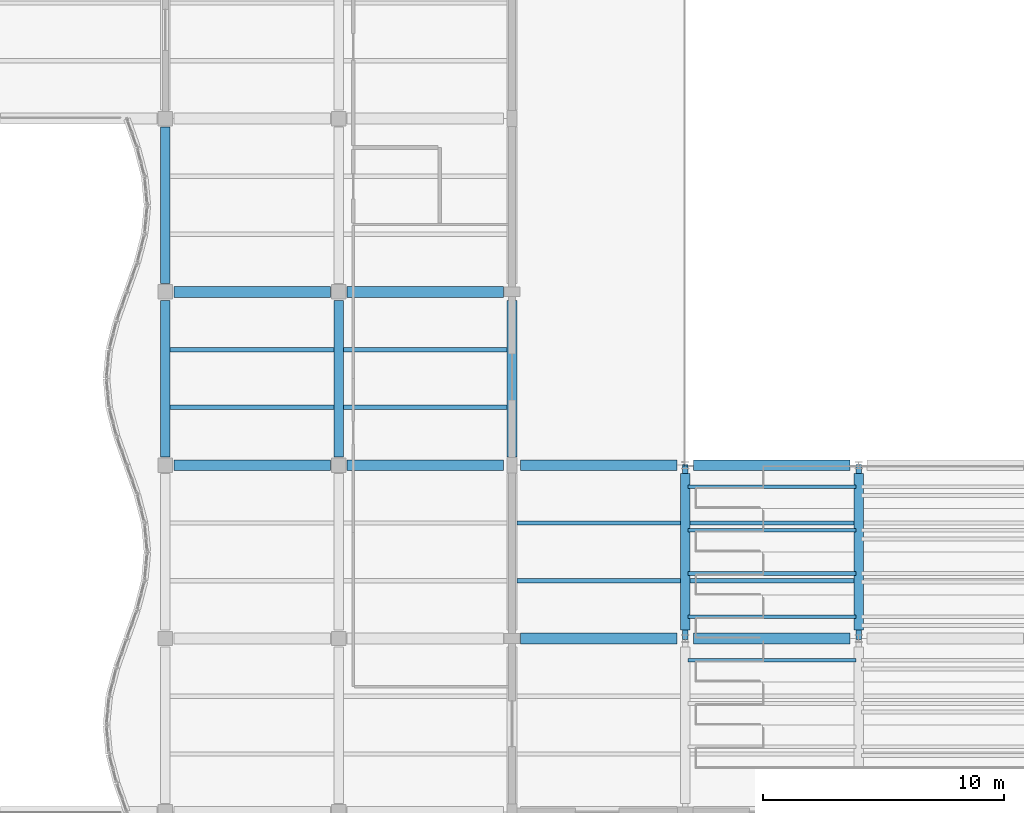
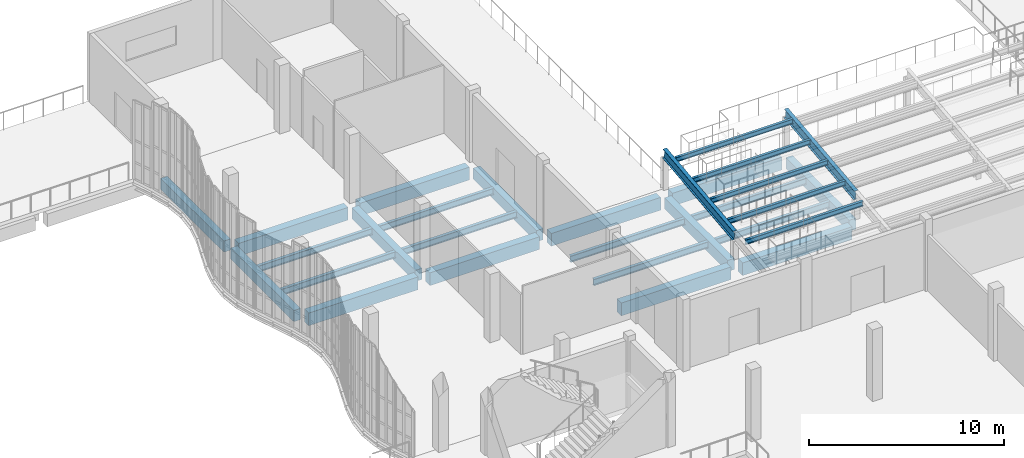
# One storey, part 38 of 105: 29 beams.
"""IFC4 building model written with IfcOpenShell, lengths in metres."""

from ifc_helpers import new_model, si_unit, direction, frame, origin, origin_2d, place, context, subcontext, project, spatial, rectangle, i_section, extrude, material, material_profile, profile_set, type_object, element, save


model = new_model("IFC4")

# Units and contexts
model_context = context("Model", 3, precision=1e-05, world=origin(), true_north=direction((0.0, 1.0)))
body_context = subcontext(model_context, "Body", "Model", "MODEL_VIEW")
ifc_project = project(units=[si_unit("LENGTHUNIT", "METRE"), si_unit("AREAUNIT", "SQUARE_METRE"), si_unit("VOLUMEUNIT", "CUBIC_METRE"), si_unit("PLANEANGLEUNIT", "RADIAN"), si_unit("MASSUNIT", "GRAM", prefix="KILO"), si_unit("THERMODYNAMICTEMPERATUREUNIT", "KELVIN"), si_unit("POWERUNIT", "WATT")], contexts=[model_context])

# Site, building, storey
site_placement = place(None, origin())
site = spatial("IfcSite", under=ifc_project, at=site_placement, CompositionType="ELEMENT")
building_placement = place(site_placement, origin())
building = spatial("IfcBuilding", under=site, at=building_placement, Name="Kaldorven Railside Theatre", CompositionType="ELEMENT")
storey_placement = place(building_placement, frame((0.0, 0.0, 9.89990234375)))
storey = spatial("IfcBuildingStorey", under=building, at=storey_placement, Name="L02", CompositionType="ELEMENT", Elevation=9.89990234375)

# Beams
ifc_material_1 = material(Name="Steel S355", Category="steel")
ifc_material_profile_1 = material_profile(ifc_material_1, i_section(OverallWidth=0.14990234375, OverallDepth=0.300048828125, WebThickness=0.007080078125, FlangeThickness=0.0107421875, at=origin_2d()), Name="IPE 300")
ifc_profile_set_1 = profile_set([ifc_material_profile_1], Name="Steel S355")
beam_type_1 = type_object("IfcBeamType", Name="BM-IPE300", PredefinedType="JOIST", material=ifc_profile_set_1)
for number, where, z_axis, x_axis, name in (
    (1, (94.510009765625, 47.10009765625, 1.52001953125), (1.0, 0.0, 0.0), (0.0, 1.0, 0.0), "Seating Tier Transverse Bearer TBR-V1U-041"),
    (2, (94.510009765625, 48.89990234375, 1.72021484375), (1.0, 0.0, 0.0), (0.0, 1.0, 0.0), "Seating Tier Transverse Bearer TBR-V1U-051"),
    (3, (94.510009765625, 50.699951171875, 1.920166015625), (1.0, 0.0, 0.0), (0.0, 1.0, 0.0), "Seating Tier Transverse Bearer TBR-V1U-061"),
    (4, (94.510009765625, 52.5, 2.1201171875), (1.0, 0.0, 0.0), (0.0, 1.0, 0.0), "Seating Tier Transverse Bearer TBR-V1U-071"),
    (5, (94.510009765625, 54.300048828125, 2.320068359375), (1.0, 0.0, 0.0), (0.0, 1.0, 0.0), "Seating Tier Transverse Bearer TBR-V1U-081"),
):
    element("IfcBeam", number, at=place(storey_placement, frame(where, z_axis=z_axis, x_axis=x_axis)), inside=storey, type_object=beam_type_1, Name=name, PredefinedType="JOIST", context=body_context, shape_type="SweptSolid", body=[
        extrude(i_section(OverallWidth=0.14990234375, OverallDepth=0.300048828125, WebThickness=0.007080078125, FlangeThickness=0.0107421875, at=origin_2d()), origin(), (0.0, 0.0, 1.0), 6.97998046875),
    ])
ifc_material_profile_2 = material_profile(ifc_material_1, i_section(OverallWidth=0.179931640625, OverallDepth=0.39990234375, WebThickness=0.008544921875, FlangeThickness=0.013427734375, at=origin_2d()), Name="IPE 400")
ifc_profile_set_2 = profile_set([ifc_material_profile_2], Name="Steel S355")
beam_type_2 = type_object("IfcBeamType", Name="BM-IPE400", PredefinedType="JOIST", material=ifc_profile_set_2)
for number, where, z_axis, x_axis, name in (
    (6, (87.39990234375, 50.39990234375, -0.5), (1.0, 0.0, 0.0), (0.0, 1.0, 0.0), "L02 Secondary Floor Joist JG-L02-087-0504"),
    (7, (87.39990234375, 52.800048828125, -0.5), (1.0, 0.0, 0.0), (0.0, 1.0, 0.0), "L02 Secondary Floor Joist JG-L02-087-0528"),
):
    element("IfcBeam", number, at=place(storey_placement, frame(where, z_axis=z_axis, x_axis=x_axis)), inside=storey, type_object=beam_type_2, Name=name, PredefinedType="JOIST", context=body_context, shape_type="SweptSolid", body=[
        extrude(i_section(OverallWidth=0.179931640625, OverallDepth=0.39990234375, WebThickness=0.008544921875, FlangeThickness=0.013427734375, at=origin_2d()), origin(), (0.0, 0.0, 1.0), 6.800048828125),
    ])
for number, where, z_axis, x_axis, name in (
    (8, (94.60009765625, 50.39990234375, -0.5), (1.0, 0.0, 0.0), (0.0, 1.0, 0.0), "L02 Secondary Floor Joist JG-L02-094-0504"),
    (9, (94.60009765625, 52.800048828125, -0.5), (1.0, 0.0, 0.0), (0.0, 1.0, 0.0), "L02 Secondary Floor Joist JG-L02-094-0528"),
):
    element("IfcBeam", number, at=place(storey_placement, frame(where, z_axis=z_axis, x_axis=x_axis)), inside=storey, type_object=beam_type_2, Name=name, PredefinedType="JOIST", context=body_context, shape_type="SweptSolid", body=[
        extrude(i_section(OverallWidth=0.179931640625, OverallDepth=0.39990234375, WebThickness=0.008544921875, FlangeThickness=0.013427734375, at=origin_2d()), origin(), (0.0, 0.0, 1.0), 6.7998046875),
    ])
for number, where, z_axis, x_axis, name in (
    (10, (73.0, 57.60009765625, -0.449951171875), (1.0, 0.0, 0.0), (0.0, 1.0, 0.0), "L02 Secondary Floor Joist JG-L02-072-0576"),
    (11, (73.0, 60.0, -0.449951171875), (1.0, 0.0, 0.0), (0.0, 1.0, 0.0), "L02 Secondary Floor Joist JG-L02-072-0600"),
    (12, (80.199951171875, 57.60009765625, -0.449951171875), (1.0, 0.0, 0.0), (0.0, 1.0, 0.0), "L02 Secondary Floor Joist JG-L02-080-0576"),
    (13, (80.199951171875, 60.0, -0.449951171875), (1.0, 0.0, 0.0), (0.0, 1.0, 0.0), "L02 Secondary Floor Joist JG-L02-080-0600"),
):
    element("IfcBeam", number, at=place(storey_placement, frame(where, z_axis=z_axis, x_axis=x_axis)), inside=storey, type_object=beam_type_2, Name=name, PredefinedType="JOIST", context=body_context, shape_type="SweptSolid", body=[
        extrude(i_section(OverallWidth=0.179931640625, OverallDepth=0.39990234375, WebThickness=0.008544921875, FlangeThickness=0.013427734375, at=origin_2d()), origin(), (0.0, 0.0, 1.0), 6.800048828125),
    ])
ifc_material_profile_3 = material_profile(ifc_material_1, i_section(OverallWidth=0.219970703125, OverallDepth=0.60009765625, WebThickness=0.011962890625, FlangeThickness=0.01904296875, at=origin_2d()), Name="IPE 600")
ifc_profile_set_3 = profile_set([ifc_material_profile_3], Name="Steel S355")
beam_type_3 = type_object("IfcBeamType", Name="BM-IPE600", PredefinedType="USERDEFINED", material=ifc_profile_set_3)
for number, where, z_axis, x_axis, name in (
    (14, (94.39990234375, 48.0, 1.43017578125), (0.0, 0.993886611281, 0.110405633534), (-1.0, 0.0, 0.0), "Auditorium Raker Girder RKG-V1U-12"),
    (15, (101.60009765625, 48.0, 1.43017578125), (0.0, 0.993886611281, 0.110405633534), (-1.0, 0.0, 0.0), "Auditorium Raker Girder RKG-V1U-22"),
):
    element("IfcBeam", number, at=place(storey_placement, frame(where, z_axis=z_axis, x_axis=x_axis)), inside=storey, type_object=beam_type_3, Name=name, ObjectType="RAKER BEAM", PredefinedType="USERDEFINED", context=body_context, shape_type="SweptSolid", body=[
        extrude(i_section(OverallWidth=0.219970703125, OverallDepth=0.60009765625, WebThickness=0.011962890625, FlangeThickness=0.01904296875, at=origin_2d()), origin(), (0.0, 0.0, 1.0), 7.244140625),
    ])
ifc_material_2 = material(Name="Concrete C40/50", Category="concrete")
ifc_material_profile_4 = material_profile(ifc_material_2, rectangle(XDim=0.39990234375, YDim=0.699951171875, at=origin_2d()), Name="RC 400x700")
ifc_profile_set_4 = profile_set([ifc_material_profile_4], Name="Concrete C40/50")
beam_type_4 = type_object("IfcBeamType", Name="BM-RC400x700", PredefinedType="BEAM", material=ifc_profile_set_4)
for number, where, z_axis, x_axis, name in (
    (16, (94.39990234375, 48.35009765625, -0.64990234375), (0.0, 1.0, 0.0), (-1.0, 0.0, 0.0), "L02 Girder BGY-L02-094-048-72"),
    (17, (101.60009765625, 48.35009765625, -0.64990234375), (0.0, 1.0, 0.0), (-1.0, 0.0, 0.0), "L02 Girder BGY-L02-101-048-72"),
    (18, (72.800048828125, 55.550048828125, -0.599853515625), (0.0, 1.0, 0.0), (-1.0, 0.0, 0.0), "L02 Girder BGY-L02-072-055-72"),
    (19, (80.0, 55.550048828125, -0.599853515625), (0.0, 1.0, 0.0), (-1.0, 0.0, 0.0), "L02 Girder BGY-L02-080-055-72"),
    (20, (87.199951171875, 55.550048828125, -0.6298828125), (0.0, 1.0, 0.0), (-1.0, 0.0, 0.0), "L02 Girder BGY-L02-087-055-72"),
    (21, (72.800048828125, 62.75, -0.599853515625), (0.0, 1.0, 0.0), (-1.0, 0.0, 0.0), "L02 Girder BGY-L02-072-062-72"),
):
    element("IfcBeam", number, at=place(storey_placement, frame(where, z_axis=z_axis, x_axis=x_axis)), inside=storey, type_object=beam_type_4, Name=name, PredefinedType="BEAM", context=body_context, shape_type="SweptSolid", body=[
        extrude(rectangle(XDim=0.39990234375, YDim=0.699951171875, at=origin_2d()), origin(), (0.0, 0.0, 1.0), 6.5),
    ])
ifc_material_profile_5 = material_profile(ifc_material_2, rectangle(XDim=0.449951171875, YDim=0.800048828125, at=origin_2d()), Name="RC 450x800")
ifc_profile_set_5 = profile_set([ifc_material_profile_5], Name="Concrete C40/50")
beam_type_5 = type_object("IfcBeamType", Name="BM-RC450x800", PredefinedType="BEAM", material=ifc_profile_set_5)
for number, where, z_axis, x_axis, name in (
    (22, (87.550048828125, 48.0, -0.699951171875), (1.0, 0.0, 0.0), (0.0, 1.0, 0.0), "L02 Girder BGX-L02-087-048"),
    (23, (94.75, 48.0, -0.699951171875), (1.0, 0.0, 0.0), (0.0, 1.0, 0.0), "L02 Girder BGX-L02-094-048"),
    (24, (73.14990234375, 55.199951171875, -0.64990234375), (1.0, 0.0, 0.0), (0.0, 1.0, 0.0), "L02 Girder BGX-L02-072-055"),
    (25, (80.35009765625, 55.199951171875, -0.64990234375), (1.0, 0.0, 0.0), (0.0, 1.0, 0.0), "L02 Girder BGX-L02-080-055"),
    (26, (87.550048828125, 55.199951171875, -0.699951171875), (1.0, 0.0, 0.0), (0.0, 1.0, 0.0), "L02 Girder BGX-L02-087-055"),
    (27, (94.75, 55.199951171875, -0.699951171875), (1.0, 0.0, 0.0), (0.0, 1.0, 0.0), "L02 Girder BGX-L02-094-055"),
    (28, (73.14990234375, 62.39990234375, -0.64990234375), (1.0, 0.0, 0.0), (0.0, 1.0, 0.0), "L02 Girder BGX-L02-072-062"),
    (29, (80.35009765625, 62.39990234375, -0.64990234375), (1.0, 0.0, 0.0), (0.0, 1.0, 0.0), "L02 Girder BGX-L02-080-062"),
):
    element("IfcBeam", number, at=place(storey_placement, frame(where, z_axis=z_axis, x_axis=x_axis)), inside=storey, type_object=beam_type_5, Name=name, PredefinedType="BEAM", context=body_context, shape_type="SweptSolid", body=[
        extrude(rectangle(XDim=0.449951171875, YDim=0.800048828125, at=origin_2d()), origin(), (0.0, 0.0, 1.0), 6.5),
    ])

save(model, "model.ifc")
